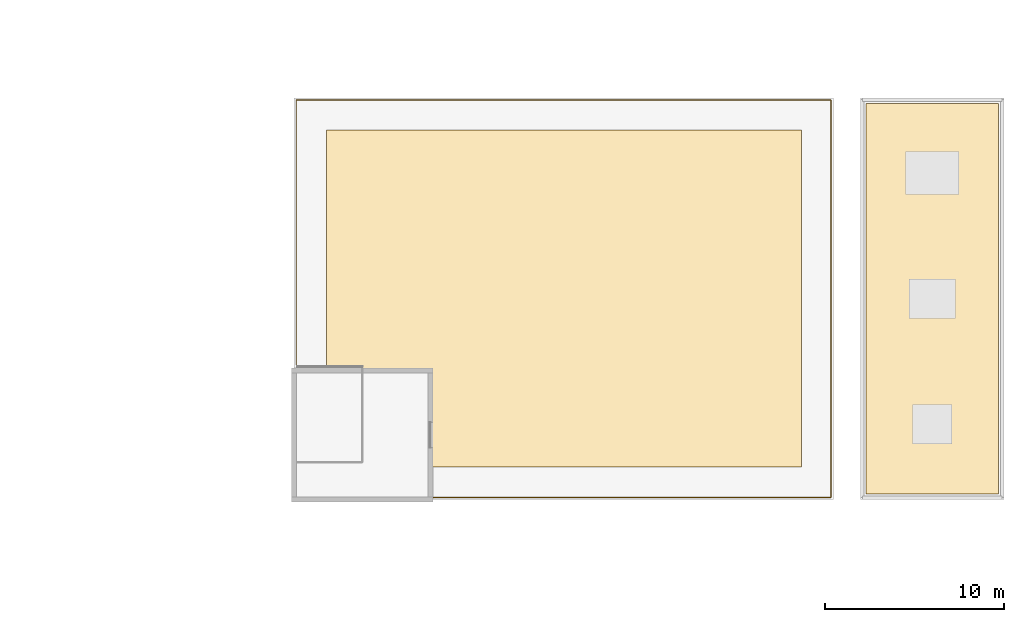
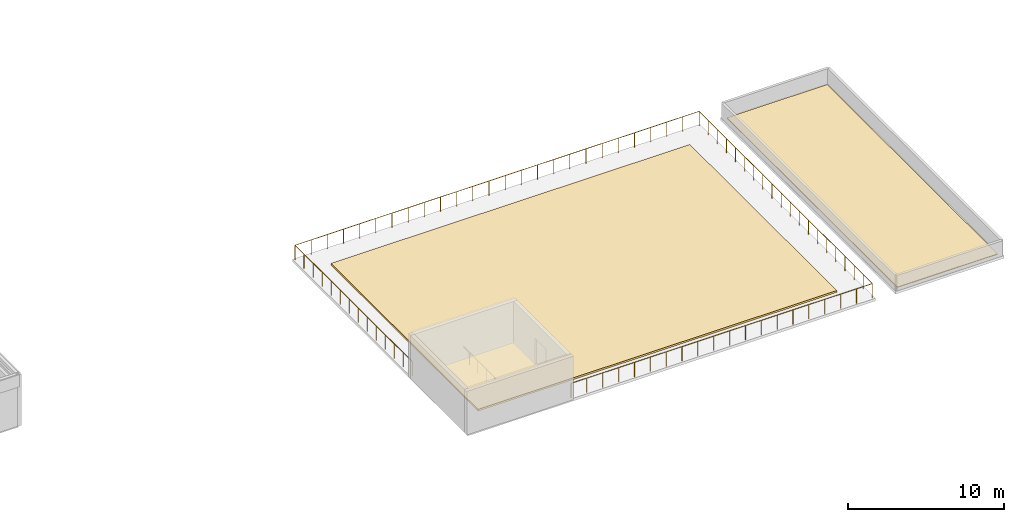
# One storey, part 45 of 45: 2 coverings, 1 railing.
"""IFC4 building model written with IfcOpenShell, lengths in metres."""

from ifc_helpers import new_model, si_unit, direction, frame, origin, origin_2d, place, context, subcontext, project, spatial, polyline, circle, outline, extrude, material, layer, layer_set, type_object, element, save


model = new_model("IFC4")

# Units and contexts
model_context = context("Model", 3, precision=1e-05, world=origin(), true_north=direction((0.0, 1.0)))
body_context = subcontext(model_context, "Body", "Model", "MODEL_VIEW")
ifc_project = project(units=[si_unit("LENGTHUNIT", "METRE"), si_unit("AREAUNIT", "SQUARE_METRE"), si_unit("VOLUMEUNIT", "CUBIC_METRE"), si_unit("PLANEANGLEUNIT", "RADIAN"), si_unit("MASSUNIT", "GRAM", prefix="KILO")], contexts=[model_context])

# Site, building, storey
site_placement = place(None, origin())
site = spatial("IfcSite", under=ifc_project, at=site_placement, CompositionType="ELEMENT")
building_placement = place(site_placement, origin())
building = spatial("IfcBuilding", under=site, at=building_placement, Name="Zulena Civic Courthouse", CompositionType="ELEMENT")
storey_placement = place(building_placement, frame((0.0, 0.0, 29.39990234375)))
storey = spatial("IfcBuildingStorey", under=building, at=storey_placement, Name="L06", CompositionType="ELEMENT", Elevation=29.39990234375)

# Coverings
ifc_material_1 = material(Name="Planted vegetated roof substrate and turf", Category="concrete")
ifc_layer_1 = layer(ifc_material_1, 0.139892578125)
ifc_layer_set_1 = layer_set([ifc_layer_1], Name="Planted vegetated roof substrate and turf")
covering_type_1 = type_object("IfcCoveringType", Name="PlantedGardenTopping_140", PredefinedType="ROOFING", material=ifc_layer_set_1)
covering_1_placement = place(storey_placement, origin())
element("IfcCovering", 1, at=covering_1_placement, inside=storey, type_object=covering_type_1, Name="cov:garden:TR-V3-L06", PredefinedType="ROOFING", context=body_context, shape_type="SweptSolid", body=[
    extrude(outline(polyline([(126.199951171875, 32.60009765625), (152.699951171875, 32.60009765625), (152.699951171875, 51.39990234375), (126.199951171875, 51.39990234375), (126.199951171875, 32.60009765625)])), origin(), (0.0, 0.0, 1.0), 0.14013671875),
])
ifc_material_2 = material(Name="Insulated standing-seam zinc-aluminium roofing", Category="aluminium")
ifc_layer_2 = layer(ifc_material_2, 0.06005859375)
ifc_layer_set_2 = layer_set([ifc_layer_2], Name="Insulated standing-seam zinc-aluminium roofing")
covering_type_2 = type_object("IfcCoveringType", Name="StandingSeamRoofing_60", PredefinedType="ROOFING", material=ifc_layer_set_2)
covering_2_placement = place(storey_placement, origin())
element("IfcCovering", 2, at=covering_2_placement, inside=storey, type_object=covering_type_2, Name="cov:roofing:V3", PredefinedType="ROOFING", context=body_context, shape_type="SweptSolid", body=[
    extrude(outline(polyline([(156.300048828125, 31.10009765625), (163.699951171875, 31.10009765625), (163.699951171875, 52.89990234375), (156.300048828125, 52.89990234375), (156.300048828125, 31.10009765625)])), origin(), (0.0, 0.0, 1.0), 0.06005859375),
])

# Railing
ifc_material_3 = material(Name="Bronze-painted architectural steel ASTM A36", Category="steel")
railing_type = type_object("IfcRailingType", Name="TerraceBalustrade_1150", PredefinedType="BALUSTRADE", material=ifc_material_3)
railing_placement = place(storey_placement, frame((132.10009765625, 30.919921875, 0.0)))
element("IfcRailing", 3, at=railing_placement, inside=storey, type_object=railing_type, Name="guard:terrace:TR-V3-L06:0", PredefinedType="BALUSTRADE", context=body_context, shape_type="SweptSolid", body=[
    extrude(circle(Radius=0.02392578125, at=origin_2d()), frame((0.00390625, 0.0, 1.1259765625), z_axis=(1.0, 0.0, 0.0), x_axis=(0.0, 1.0, 0.0)), (0.0, 0.0, 1.0), 22.241943359375),
    extrude(circle(Radius=0.02392578125, at=origin_2d()), frame((22.25, 0.00390625, 1.1259765625), z_axis=(0.0, 1.0, 0.0), x_axis=(-1.0, 0.0, 0.0)), (0.0, 0.0, 1.0), 22.152099609375),
    extrude(circle(Radius=0.02392578125, at=origin_2d()), frame((22.24609375, 22.16015625, 1.1259765625), z_axis=(-1.0, 0.0, 0.0), x_axis=(0.0, -1.0, 0.0)), (0.0, 0.0, 1.0), 29.822021484375),
    extrude(circle(Radius=0.02392578125, at=origin_2d()), frame((-7.580078125, 22.15625, 1.1259765625), z_axis=(0.0, -1.0, 0.0), x_axis=(1.0, 0.0, 0.0)), (0.0, 0.0, 1.0), 14.971923828125),
    extrude(circle(Radius=0.02099609375, at=origin_2d()), origin(), (0.0, 0.0, 1.0), 1.097900390625),
    extrude(circle(Radius=0.02099609375, at=origin_2d()), frame((1.171142578125, 0.0, 0.0)), (0.0, 0.0, 1.0), 1.097900390625),
    extrude(circle(Radius=0.02099609375, at=origin_2d()), frame((2.342041015625, 0.0, 0.0)), (0.0, 0.0, 1.0), 1.097900390625),
    extrude(circle(Radius=0.02099609375, at=origin_2d()), frame((3.51318359375, 0.0, 0.0)), (0.0, 0.0, 1.0), 1.097900390625),
    extrude(circle(Radius=0.02099609375, at=origin_2d()), frame((4.684326171875, 0.0, 0.0)), (0.0, 0.0, 1.0), 1.097900390625),
    extrude(circle(Radius=0.02099609375, at=origin_2d()), frame((5.855224609375, 0.0, 0.0)), (0.0, 0.0, 1.0), 1.097900390625),
    extrude(circle(Radius=0.02099609375, at=origin_2d()), frame((7.0263671875, 0.0, 0.0)), (0.0, 0.0, 1.0), 1.097900390625),
    extrude(circle(Radius=0.02099609375, at=origin_2d()), frame((8.197265625, 0.0, 0.0)), (0.0, 0.0, 1.0), 1.097900390625),
    extrude(circle(Radius=0.02099609375, at=origin_2d()), frame((9.368408203125, 0.0, 0.0)), (0.0, 0.0, 1.0), 1.097900390625),
    extrude(circle(Radius=0.02099609375, at=origin_2d()), frame((10.53955078125, 0.0, 0.0)), (0.0, 0.0, 1.0), 1.097900390625),
    extrude(circle(Radius=0.02099609375, at=origin_2d()), frame((11.71044921875, 0.0, 0.0)), (0.0, 0.0, 1.0), 1.097900390625),
    extrude(circle(Radius=0.02099609375, at=origin_2d()), frame((12.881591796875, 0.0, 0.0)), (0.0, 0.0, 1.0), 1.097900390625),
    extrude(circle(Radius=0.02099609375, at=origin_2d()), frame((14.052734375, 0.0, 0.0)), (0.0, 0.0, 1.0), 1.097900390625),
    extrude(circle(Radius=0.02099609375, at=origin_2d()), frame((15.2236328125, 0.0, 0.0)), (0.0, 0.0, 1.0), 1.097900390625),
    extrude(circle(Radius=0.02099609375, at=origin_2d()), frame((16.394775390625, 0.0, 0.0)), (0.0, 0.0, 1.0), 1.097900390625),
    extrude(circle(Radius=0.02099609375, at=origin_2d()), frame((17.565673828125, 0.0, 0.0)), (0.0, 0.0, 1.0), 1.097900390625),
    extrude(circle(Radius=0.02099609375, at=origin_2d()), frame((18.73681640625, 0.0, 0.0)), (0.0, 0.0, 1.0), 1.097900390625),
    extrude(circle(Radius=0.02099609375, at=origin_2d()), frame((19.907958984375, 0.0, 0.0)), (0.0, 0.0, 1.0), 1.097900390625),
    extrude(circle(Radius=0.02099609375, at=origin_2d()), frame((21.078857421875, 0.0, 0.0)), (0.0, 0.0, 1.0), 1.097900390625),
    extrude(circle(Radius=0.02099609375, at=origin_2d()), frame((22.25, 0.0, 0.0)), (0.0, 0.0, 1.0), 1.097900390625),
    extrude(circle(Radius=0.02099609375, at=origin_2d()), frame((22.25, 1.166259765625, 0.0)), (0.0, 0.0, 1.0), 1.097900390625),
    extrude(circle(Radius=0.02099609375, at=origin_2d()), frame((22.25, 2.332763671875, 0.0)), (0.0, 0.0, 1.0), 1.097900390625),
    extrude(circle(Radius=0.02099609375, at=origin_2d()), frame((22.25, 3.4990234375, 0.0)), (0.0, 0.0, 1.0), 1.097900390625),
    extrude(circle(Radius=0.02099609375, at=origin_2d()), frame((22.25, 4.665283203125, 0.0)), (0.0, 0.0, 1.0), 1.097900390625),
    extrude(circle(Radius=0.02099609375, at=origin_2d()), frame((22.25, 5.83154296875, 0.0)), (0.0, 0.0, 1.0), 1.097900390625),
    extrude(circle(Radius=0.02099609375, at=origin_2d()), frame((22.25, 6.998046875, 0.0)), (0.0, 0.0, 1.0), 1.097900390625),
    extrude(circle(Radius=0.02099609375, at=origin_2d()), frame((22.25, 8.164306640625, 0.0)), (0.0, 0.0, 1.0), 1.097900390625),
    extrude(circle(Radius=0.02099609375, at=origin_2d()), frame((22.25, 9.33056640625, 0.0)), (0.0, 0.0, 1.0), 1.097900390625),
    extrude(circle(Radius=0.02099609375, at=origin_2d()), frame((22.25, 10.496826171875, 0.0)), (0.0, 0.0, 1.0), 1.097900390625),
    extrude(circle(Radius=0.02099609375, at=origin_2d()), frame((22.25, 11.663330078125, 0.0)), (0.0, 0.0, 1.0), 1.097900390625),
    extrude(circle(Radius=0.02099609375, at=origin_2d()), frame((22.25, 12.82958984375, 0.0)), (0.0, 0.0, 1.0), 1.097900390625),
    extrude(circle(Radius=0.02099609375, at=origin_2d()), frame((22.25, 13.995849609375, 0.0)), (0.0, 0.0, 1.0), 1.097900390625),
    extrude(circle(Radius=0.02099609375, at=origin_2d()), frame((22.25, 15.162109375, 0.0)), (0.0, 0.0, 1.0), 1.097900390625),
    extrude(circle(Radius=0.02099609375, at=origin_2d()), frame((22.25, 16.32861328125, 0.0)), (0.0, 0.0, 1.0), 1.097900390625),
    extrude(circle(Radius=0.02099609375, at=origin_2d()), frame((22.25, 17.494873046875, 0.0)), (0.0, 0.0, 1.0), 1.097900390625),
    extrude(circle(Radius=0.02099609375, at=origin_2d()), frame((22.25, 18.6611328125, 0.0)), (0.0, 0.0, 1.0), 1.097900390625),
    extrude(circle(Radius=0.02099609375, at=origin_2d()), frame((22.25, 19.827392578125, 0.0)), (0.0, 0.0, 1.0), 1.097900390625),
    extrude(circle(Radius=0.02099609375, at=origin_2d()), frame((22.25, 20.993896484375, 0.0)), (0.0, 0.0, 1.0), 1.097900390625),
    extrude(circle(Radius=0.02099609375, at=origin_2d()), frame((22.25, 22.16015625, 0.0)), (0.0, 0.0, 1.0), 1.097900390625),
    extrude(circle(Radius=0.02099609375, at=origin_2d()), frame((21.056884765625, 22.16015625, 0.0)), (0.0, 0.0, 1.0), 1.097900390625),
    extrude(circle(Radius=0.02099609375, at=origin_2d()), frame((19.863525390625, 22.16015625, 0.0)), (0.0, 0.0, 1.0), 1.097900390625),
    extrude(circle(Radius=0.02099609375, at=origin_2d()), frame((18.67041015625, 22.16015625, 0.0)), (0.0, 0.0, 1.0), 1.097900390625),
    extrude(circle(Radius=0.02099609375, at=origin_2d()), frame((17.477294921875, 22.16015625, 0.0)), (0.0, 0.0, 1.0), 1.097900390625),
    extrude(circle(Radius=0.02099609375, at=origin_2d()), frame((16.283935546875, 22.16015625, 0.0)), (0.0, 0.0, 1.0), 1.097900390625),
    extrude(circle(Radius=0.02099609375, at=origin_2d()), frame((15.0908203125, 22.16015625, 0.0)), (0.0, 0.0, 1.0), 1.097900390625),
    extrude(circle(Radius=0.02099609375, at=origin_2d()), frame((13.8974609375, 22.16015625, 0.0)), (0.0, 0.0, 1.0), 1.097900390625),
    extrude(circle(Radius=0.02099609375, at=origin_2d()), frame((12.704345703125, 22.16015625, 0.0)), (0.0, 0.0, 1.0), 1.097900390625),
    extrude(circle(Radius=0.02099609375, at=origin_2d()), frame((11.51123046875, 22.16015625, 0.0)), (0.0, 0.0, 1.0), 1.097900390625),
    extrude(circle(Radius=0.02099609375, at=origin_2d()), frame((10.31787109375, 22.16015625, 0.0)), (0.0, 0.0, 1.0), 1.097900390625),
    extrude(circle(Radius=0.02099609375, at=origin_2d()), frame((9.124755859375, 22.16015625, 0.0)), (0.0, 0.0, 1.0), 1.097900390625),
    extrude(circle(Radius=0.02099609375, at=origin_2d()), frame((7.931640625, 22.16015625, 0.0)), (0.0, 0.0, 1.0), 1.097900390625),
    extrude(circle(Radius=0.02099609375, at=origin_2d()), frame((6.73828125, 22.16015625, 0.0)), (0.0, 0.0, 1.0), 1.097900390625),
    extrude(circle(Radius=0.02099609375, at=origin_2d()), frame((5.545166015625, 22.16015625, 0.0)), (0.0, 0.0, 1.0), 1.097900390625),
    extrude(circle(Radius=0.02099609375, at=origin_2d()), frame((4.35205078125, 22.16015625, 0.0)), (0.0, 0.0, 1.0), 1.097900390625),
    extrude(circle(Radius=0.02099609375, at=origin_2d()), frame((3.15869140625, 22.16015625, 0.0)), (0.0, 0.0, 1.0), 1.097900390625),
    extrude(circle(Radius=0.02099609375, at=origin_2d()), frame((1.965576171875, 22.16015625, 0.0)), (0.0, 0.0, 1.0), 1.097900390625),
    extrude(circle(Radius=0.02099609375, at=origin_2d()), frame((0.7724609375, 22.16015625, 0.0)), (0.0, 0.0, 1.0), 1.097900390625),
    extrude(circle(Radius=0.02099609375, at=origin_2d()), frame((-0.4208984375, 22.16015625, 0.0)), (0.0, 0.0, 1.0), 1.097900390625),
    extrude(circle(Radius=0.02099609375, at=origin_2d()), frame((-1.614013671875, 22.16015625, 0.0)), (0.0, 0.0, 1.0), 1.097900390625),
    extrude(circle(Radius=0.02099609375, at=origin_2d()), frame((-2.807373046875, 22.16015625, 0.0)), (0.0, 0.0, 1.0), 1.097900390625),
    extrude(circle(Radius=0.02099609375, at=origin_2d()), frame((-4.00048828125, 22.16015625, 0.0)), (0.0, 0.0, 1.0), 1.097900390625),
    extrude(circle(Radius=0.02099609375, at=origin_2d()), frame((-5.193603515625, 22.16015625, 0.0)), (0.0, 0.0, 1.0), 1.097900390625),
    extrude(circle(Radius=0.02099609375, at=origin_2d()), frame((-6.386962890625, 22.16015625, 0.0)), (0.0, 0.0, 1.0), 1.097900390625),
    extrude(circle(Radius=0.02099609375, at=origin_2d()), frame((-7.580078125, 22.16015625, 0.0)), (0.0, 0.0, 1.0), 1.097900390625),
    extrude(circle(Radius=0.02099609375, at=origin_2d()), frame((-7.580078125, 21.0078125, 0.0)), (0.0, 0.0, 1.0), 1.097900390625),
    extrude(circle(Radius=0.02099609375, at=origin_2d()), frame((-7.580078125, 19.85546875, 0.0)), (0.0, 0.0, 1.0), 1.097900390625),
    extrude(circle(Radius=0.02099609375, at=origin_2d()), frame((-7.580078125, 18.703125, 0.0)), (0.0, 0.0, 1.0), 1.097900390625),
    extrude(circle(Radius=0.02099609375, at=origin_2d()), frame((-7.580078125, 17.551025390625, 0.0)), (0.0, 0.0, 1.0), 1.097900390625),
    extrude(circle(Radius=0.02099609375, at=origin_2d()), frame((-7.580078125, 16.398681640625, 0.0)), (0.0, 0.0, 1.0), 1.097900390625),
    extrude(circle(Radius=0.02099609375, at=origin_2d()), frame((-7.580078125, 15.246337890625, 0.0)), (0.0, 0.0, 1.0), 1.097900390625),
    extrude(circle(Radius=0.02099609375, at=origin_2d()), frame((-7.580078125, 14.093994140625, 0.0)), (0.0, 0.0, 1.0), 1.097900390625),
    extrude(circle(Radius=0.02099609375, at=origin_2d()), frame((-7.580078125, 12.941650390625, 0.0)), (0.0, 0.0, 1.0), 1.097900390625),
    extrude(circle(Radius=0.02099609375, at=origin_2d()), frame((-7.580078125, 11.789306640625, 0.0)), (0.0, 0.0, 1.0), 1.097900390625),
    extrude(circle(Radius=0.02099609375, at=origin_2d()), frame((-7.580078125, 10.63720703125, 0.0)), (0.0, 0.0, 1.0), 1.097900390625),
    extrude(circle(Radius=0.02099609375, at=origin_2d()), frame((-7.580078125, 9.48486328125, 0.0)), (0.0, 0.0, 1.0), 1.097900390625),
    extrude(circle(Radius=0.02099609375, at=origin_2d()), frame((-7.580078125, 8.33251953125, 0.0)), (0.0, 0.0, 1.0), 1.097900390625),
    extrude(circle(Radius=0.02099609375, at=origin_2d()), frame((-7.580078125, 7.18017578125, 0.0)), (0.0, 0.0, 1.0), 1.097900390625),
])

save(model, "model.ifc")
